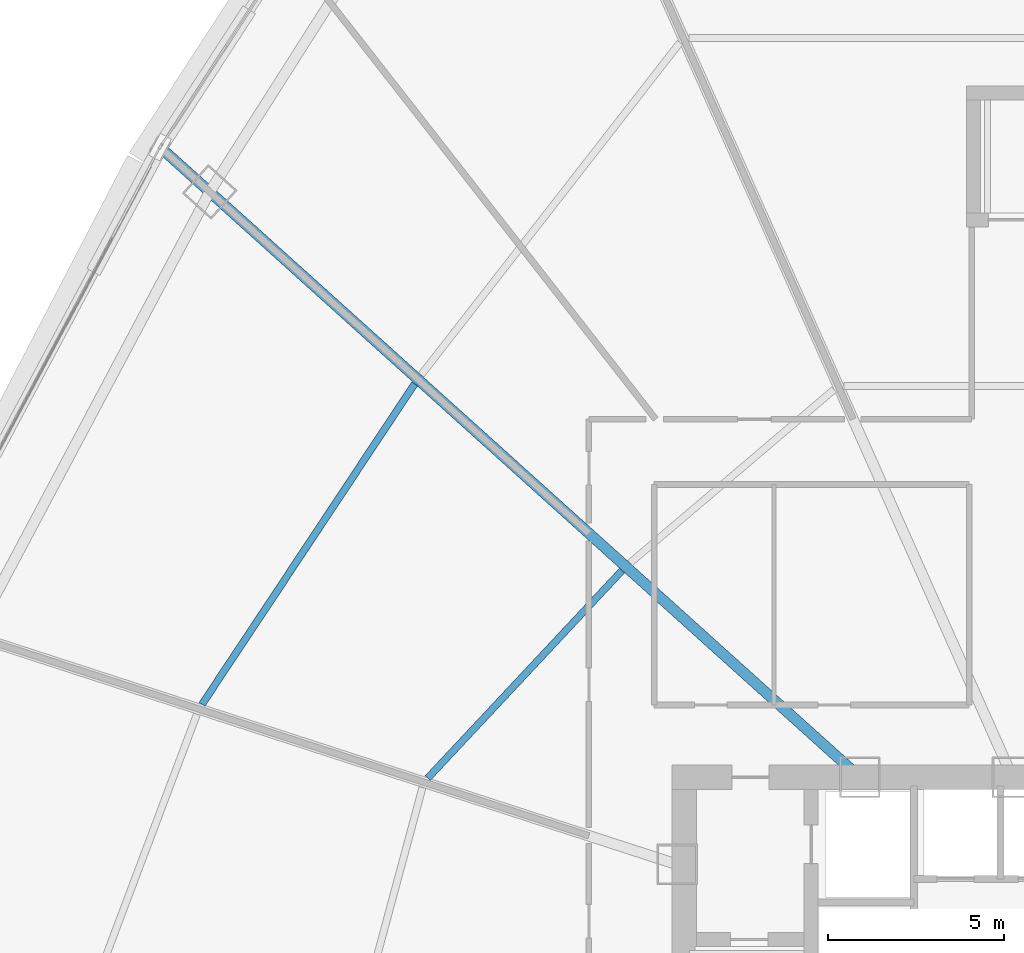
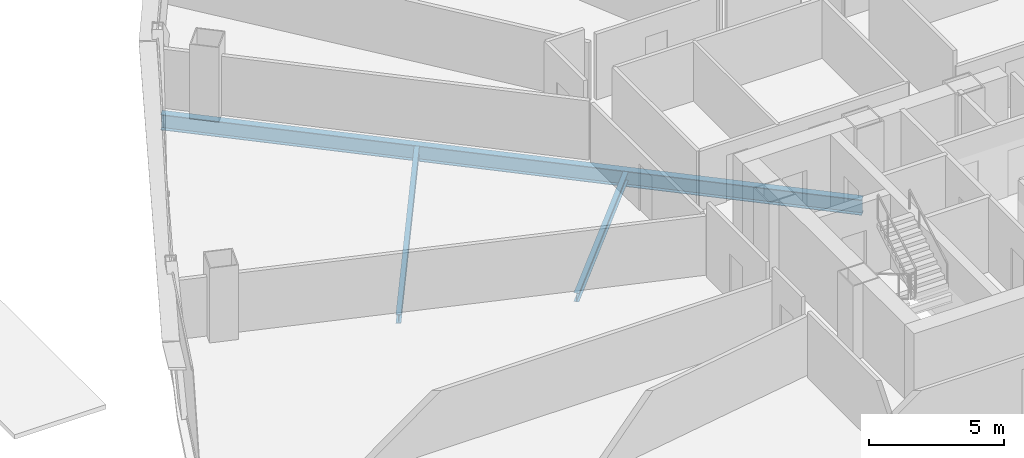
# One storey, part 14 of 38: 3 beams.
"""IFC4 building model written with IfcOpenShell, lengths in metres."""

from ifc_helpers import new_model, si_unit, direction, frame, origin, origin_2d, place, context, subcontext, project, spatial, i_section, extrude, source, transform, mapped, material, material_profile, profile_set, type_object, element, save


model = new_model("IFC4")

# Units and contexts
model_context = context("Model", 3, precision=1e-05, world=origin(), true_north=direction((0.0, 1.0)))
body_context = subcontext(model_context, "Body", "Model", "MODEL_VIEW")
ifc_project = project(units=[si_unit("LENGTHUNIT", "METRE"), si_unit("AREAUNIT", "SQUARE_METRE"), si_unit("VOLUMEUNIT", "CUBIC_METRE"), si_unit("PLANEANGLEUNIT", "RADIAN"), si_unit("MASSUNIT", "GRAM", prefix="KILO"), si_unit("THERMODYNAMICTEMPERATUREUNIT", "KELVIN"), si_unit("POWERUNIT", "WATT")], contexts=[model_context])

# Site, building, storey
site_placement = place(None, origin())
site = spatial("IfcSite", under=ifc_project, at=site_placement, CompositionType="ELEMENT")
building_placement = place(site_placement, origin())
building = spatial("IfcBuilding", under=site, at=building_placement, Name="Yunzhuo Pagoda Commons", CompositionType="ELEMENT")
storey_placement = place(building_placement, frame((0.0, 0.0, 30.39990234375)))
storey = spatial("IfcBuildingStorey", under=building, at=storey_placement, Name="L07", CompositionType="ELEMENT", Elevation=30.39990234375)

# Beams
ifc_material = material(Name="Structural steel Q355B", Category="steel")
ifc_material_profile_1 = material_profile(ifc_material, i_section(OverallWidth=0.300048828125, OverallDepth=0.699951171875, WebThickness=0.012939453125, FlangeThickness=0.02392578125, at=origin_2d()), Name="Structural steel Q355B")
ifc_profile_set_1 = profile_set([ifc_material_profile_1], Name="Structural steel Q355B")
beam_type_1 = type_object("IfcBeamType", Name="B-RG1 Beam HN 700x300x13x24", PredefinedType="BEAM", material=ifc_profile_set_1)
shared_shape_1 = source(origin(), body_context, "Body", "SweptSolid", [
    extrude(i_section(OverallWidth=0.300048828125, OverallDepth=0.699951171875, WebThickness=0.012939453125, FlangeThickness=0.02392578125, at=origin_2d()), origin(), (0.0, 0.0, 1.0), 26.538818359375),
])
beam_1_placement = place(storey_placement, frame((21.058837890625, 57.9580078125, -0.60986328125), z_axis=(0.743142261506, -0.669133453927, 0.0), x_axis=(0.669133453927, 0.743142261506, 0.0)))
element("IfcBeam", 1, at=beam_1_placement, inside=storey, type_object=beam_type_1, Name="L07 radial floor girder F3C2", PredefinedType="BEAM", context=body_context, shape_type="MappedRepresentation", body=[
    mapped(shared_shape_1, transform((0.0, 0.0, 0.0), scale=1.0)),
])
ifc_material_profile_2 = material_profile(ifc_material, i_section(OverallWidth=0.199951171875, OverallDepth=0.39990234375, WebThickness=0.008056640625, FlangeThickness=0.012939453125, at=origin_2d()), Name="Structural steel Q355B")
ifc_profile_set_2 = profile_set([ifc_material_profile_2], Name="Structural steel Q355B")
beam_type_2 = type_object("IfcBeamType", Name="B-JS1 Joist HN 400x200x8x13", PredefinedType="JOIST", material=ifc_profile_set_2)
shared_shape_2 = source(origin(), body_context, "Body", "SweptSolid", [
    extrude(i_section(OverallWidth=0.199951171875, OverallDepth=0.39990234375, WebThickness=0.008056640625, FlangeThickness=0.012939453125, at=origin_2d()), origin(), (0.0, 0.0, 1.0), 8.055908203125),
])
beam_2_placement = place(storey_placement, frame((34.03759765625, 46.057861328125, -0.4599609375), z_axis=(-0.683432879027, -0.730013355949, 0.0), x_axis=(0.730013355949, -0.683432879027, 0.0)))
element("IfcBeam", 2, at=beam_2_placement, inside=storey, type_object=beam_type_2, Name="L07 composite ring joist 1.10", PredefinedType="JOIST", context=body_context, shape_type="MappedRepresentation", body=[
    mapped(shared_shape_2, transform((0.0, 0.0, 0.0), scale=1.0)),
])
shared_shape_3 = source(origin(), body_context, "Body", "SweptSolid", [
    extrude(i_section(OverallWidth=0.199951171875, OverallDepth=0.39990234375, WebThickness=0.008056640625, FlangeThickness=0.012939453125, at=origin_2d()), origin(), (0.0, 0.0, 1.0), 10.904052734375),
])
beam_3_placement = place(storey_placement, frame((28.160888671875, 51.351806640625, -0.4599609375), z_axis=(-0.552916349928, -0.833236767061, 0.0), x_axis=(0.833236767061, -0.552916349928, 0.0)))
element("IfcBeam", 3, at=beam_3_placement, inside=storey, type_object=beam_type_2, Name="L07 composite ring joist 2.10", PredefinedType="JOIST", context=body_context, shape_type="MappedRepresentation", body=[
    mapped(shared_shape_3, transform((0.0, 0.0, 0.0), scale=1.0)),
])

save(model, "model.ifc")
